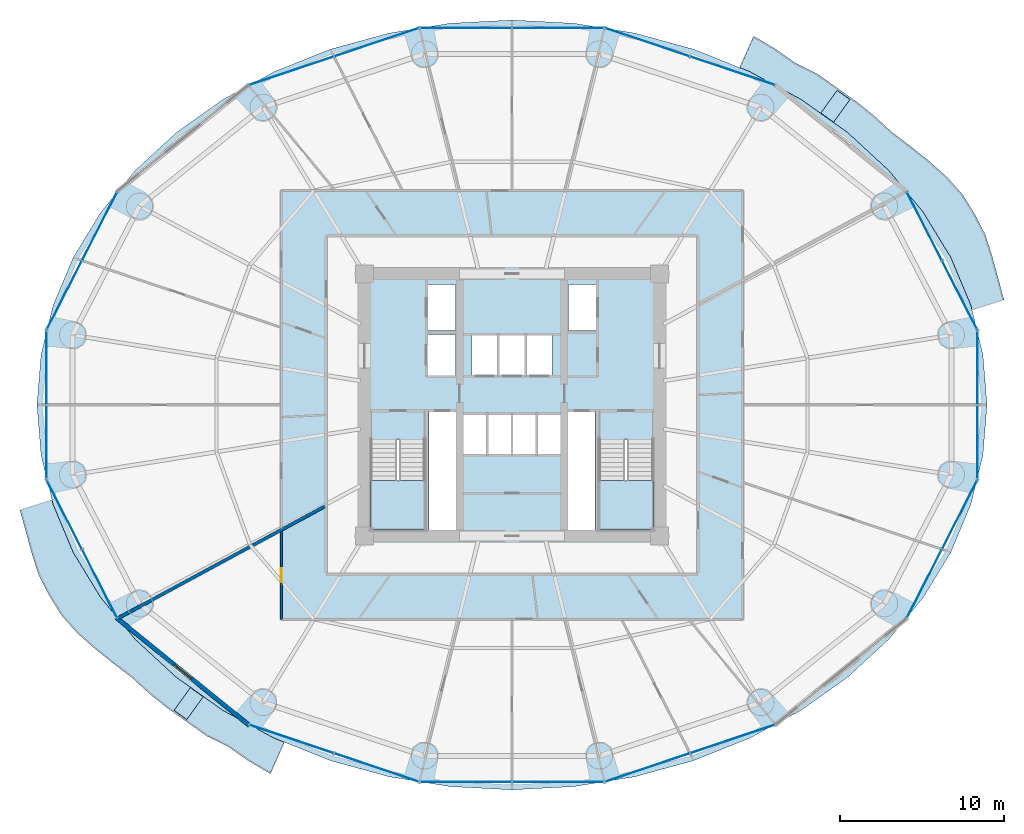
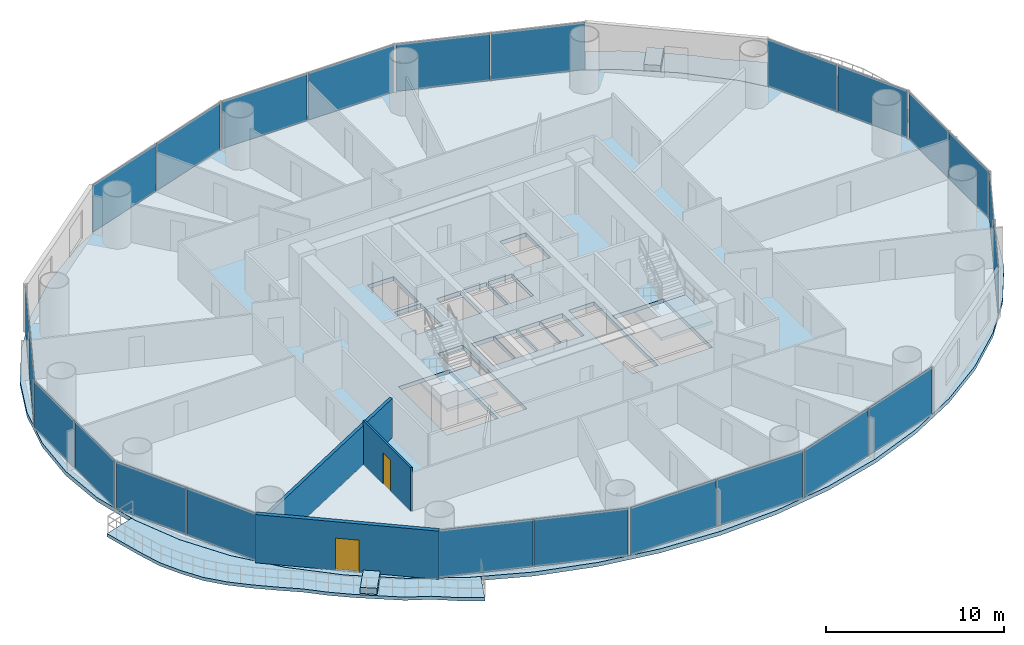
# One storey, part 22 of 30: 24 plates, 7 slabs, 3 walls, 2 doors, 2 openings, 14 elements without a shape of their own.
"""IFC4 building model written with IfcOpenShell, lengths in metres."""

import ifcopenshell
import ifcopenshell.guid

model = None  # the IFC model being written
_history = None  # IfcOwnerHistory: only IFC2X3 demands one
_inside = {}  # id of a spatial element -> (the spatial element, [elements in it])
_under = {}  # id of a project, library or spatial element -> (it, [spatial elements below it])
_declared = {}  # id of a project -> (the project, [libraries it declares])
_typed = {}  # id of a type object -> (the type object, [elements of that type])
_made_of = {}  # id of a material, layer set ... -> (it, [elements and type objects made of it])


def new_model(schema):
    """Start an empty IFC model of exactly this schema.

    Asked for "IFC4X3", IfcOpenShell would pick the latest addendum, in which some entities
    have other attributes; the version numbers below select the first issue.
    IFC2X3 requires an IfcOwnerHistory on every rooted entity: one is made here for all.
    """
    global model, _history
    if schema == "IFC4X3":
        model = ifcopenshell.file(schema_version=(4, 3, 0, 0))
    else:
        model = ifcopenshell.file(schema=schema)
    _inside.clear()
    _under.clear()
    _declared.clear()
    _typed.clear()
    _made_of.clear()
    _history = None
    if model.schema == "IFC2X3":
        org = make("IfcOrganization", Name="unknown")
        user = make(
            "IfcPersonAndOrganization",
            ThePerson=make("IfcPerson", FamilyName="unknown"),
            TheOrganization=org,
        )
        app = make(
            "IfcApplication",
            ApplicationDeveloper=org,
            Version="unknown",
            ApplicationFullName="unknown",
            ApplicationIdentifier="unknown",
        )
        _history = make(
            "IfcOwnerHistory",
            OwningUser=user,
            OwningApplication=app,
            ChangeAction="ADDED",
            CreationDate=0,
        )
    return model


def make(cls, **values):
    """One entity of the class cls with the attributes given. An attribute that is None is left unset."""
    return model.create_entity(
        cls, **{name: value for name, value in values.items() if value is not None}
    )


def rooted(cls, **values):
    """An entity with a GlobalId (a new one), such as an element, a storey or a relation."""
    return make(cls, GlobalId=ifcopenshell.guid.new(), OwnerHistory=_history, **values)


def si_unit(unit_type, name, prefix=None):
    """IfcSIUnit, for example si_unit("LENGTHUNIT", "METRE", prefix="MILLI")."""
    return make("IfcSIUnit", UnitType=unit_type, Prefix=prefix, Name=name)


def assignment(units):
    """IfcUnitAssignment: the units of a project."""
    return None if units is None else make("IfcUnitAssignment", Units=units)


def point(xyz):
    """IfcCartesianPoint."""
    return None if xyz is None else make("IfcCartesianPoint", Coordinates=xyz)


def direction(xyz):
    """IfcDirection."""
    return None if xyz is None else make("IfcDirection", DirectionRatios=xyz)


def frame(location, z_axis=None, x_axis=None):
    """IfcAxis2Placement3D, a coordinate frame: its origin and axes. An axis left out is left unset."""
    return make(
        "IfcAxis2Placement3D",
        Location=point(location),
        Axis=direction(z_axis),
        RefDirection=direction(x_axis),
    )


def frame_2d(location, x_axis=None):
    """IfcAxis2Placement2D, a coordinate frame in the plane: its origin and x axis."""
    return make(
        "IfcAxis2Placement2D", Location=point(location), RefDirection=direction(x_axis)
    )


def origin():
    """The frame at (0, 0, 0) with its axes left unset."""
    return frame((0.0, 0.0, 0.0))


def origin_2d():
    """The frame at (0, 0) in the plane with its x axis left unset."""
    return frame_2d((0.0, 0.0))


def place(relative_to, where):
    """IfcLocalPlacement: puts the frame where relative to a parent placement (None: the world)."""
    return make(
        "IfcLocalPlacement", PlacementRelTo=relative_to, RelativePlacement=where
    )


def context(
    kind, dimensions, precision=None, world=None, true_north=None, identifier=None
):
    """IfcGeometricRepresentationContext, for example the 3D "Model" context."""
    return make(
        "IfcGeometricRepresentationContext",
        ContextIdentifier=identifier,
        ContextType=kind,
        CoordinateSpaceDimension=dimensions,
        Precision=precision,
        WorldCoordinateSystem=world,
        TrueNorth=true_north,
    )


def subcontext(parent, identifier, kind, view, scale=None):
    """IfcGeometricRepresentationSubContext, for example "Body" below "Model"."""
    return make(
        "IfcGeometricRepresentationSubContext",
        ContextIdentifier=identifier,
        ContextType=kind,
        ParentContext=parent,
        TargetScale=scale,
        TargetView=view,
    )


def project(units=None, contexts=None):
    """IfcProject with its units and contexts."""
    return rooted(
        "IfcProject",
        Name="project",
        RepresentationContexts=contexts,
        UnitsInContext=assignment(units),
    )


def spatial(cls, under=None, at=None, **own):
    """A site, building, storey or space (cls), placed at a placement, below another one or the project."""
    s = rooted(cls, ObjectPlacement=at, **own)
    if under is not None:
        _under.setdefault(under.id(), (under, []))[1].append(s)
    return s


def polyline(points):
    """IfcPolyline through the points."""
    return make("IfcPolyline", Points=[point(p) for p in points])


def profile(cls, at=None, kind="AREA", **sizes):
    """A parametric profile (cls). Its sizes go by their IFC names, for example OverallWidth=200.0."""
    return make(cls, ProfileType=kind, Position=at, **sizes)


def rectangle(**sizes):
    """IfcRectangleProfileDef."""
    return profile("IfcRectangleProfileDef", **sizes)


def outline(outer, holes=None, kind="AREA"):
    """IfcArbitraryClosedProfileDef: a profile drawn as a closed curve; with holes, ...WithVoids."""
    if holes is None:
        return make("IfcArbitraryClosedProfileDef", ProfileType=kind, OuterCurve=outer)
    return make(
        "IfcArbitraryProfileDefWithVoids",
        ProfileType=kind,
        OuterCurve=outer,
        InnerCurves=holes,
    )


def extrude(swept, where, along, depth):
    """IfcExtrudedAreaSolid: the profile swept, set in the frame where, extruded along a direction by depth."""
    return make(
        "IfcExtrudedAreaSolid",
        SweptArea=swept,
        Position=where,
        ExtrudedDirection=direction(along),
        Depth=depth,
    )


def shape(context_of_items, identifier, shape_type, items):
    """IfcShapeRepresentation: the items that make up one representation, for example the "Body"."""
    return make(
        "IfcShapeRepresentation",
        ContextOfItems=context_of_items,
        RepresentationIdentifier=identifier,
        RepresentationType=shape_type,
        Items=items,
    )


def source(mapping_origin, context_of_items, identifier, shape_type, items):
    """IfcRepresentationMap: a shape defined once, which mapped items show again and again."""
    return make(
        "IfcRepresentationMap",
        MappingOrigin=mapping_origin,
        MappedRepresentation=shape(context_of_items, identifier, shape_type, items),
    )


def transform(
    local_origin,
    x_axis=None,
    y_axis=None,
    z_axis=None,
    scale=None,
    scale2=None,
    scale3=None,
    uniform=True,
):
    """IfcCartesianTransformationOperator3D, or its non-uniform kind. x_axis, y_axis, z_axis: its Axis1, 2, 3."""
    if uniform:
        return make(
            "IfcCartesianTransformationOperator3D",
            Axis1=direction(x_axis),
            Axis2=direction(y_axis),
            LocalOrigin=point(local_origin),
            Scale=scale,
            Axis3=direction(z_axis),
        )
    return make(
        "IfcCartesianTransformationOperator3DnonUniform",
        Axis1=direction(x_axis),
        Axis2=direction(y_axis),
        LocalOrigin=point(local_origin),
        Scale=scale,
        Axis3=direction(z_axis),
        Scale2=scale2,
        Scale3=scale3,
    )


def mapped(mapping_source, mapping_target):
    """IfcMappedItem: shows the shape of a source again, moved by a transform."""
    return make(
        "IfcMappedItem", MappingSource=mapping_source, MappingTarget=mapping_target
    )


def material(Name=None, Category=None):
    """IfcMaterial."""
    return make("IfcMaterial", Name=Name, Category=Category)


def layer(
    of_material, thickness, ventilated=None, Name=None, Category=None, Priority=None
):
    """IfcMaterialLayer: one layer of a wall or slab, of a material (None: an air gap)."""
    return make(
        "IfcMaterialLayer",
        Material=of_material,
        LayerThickness=thickness,
        IsVentilated=ventilated,
        Name=Name,
        Category=Category,
        Priority=Priority,
    )


def layer_set(layers, Name=None):
    """IfcMaterialLayerSet."""
    return make("IfcMaterialLayerSet", MaterialLayers=layers, LayerSetName=Name)


def made_of(thing, what):
    """Note that an element or type object is made of a material, layer set ...; save() writes the relation."""
    if what is not None:
        _made_of.setdefault(what.id(), (what, []))[1].append(thing)
    return thing


def type_object(cls, material=None, **own):
    """A type object (cls), such as IfcWallType, which elements share."""
    return made_of(rooted(cls, **own), material)


def element(
    cls,
    number,
    at=None,
    inside=None,
    cuts=None,
    type_object=None,
    material=None,
    context=None,
    identifier="Body",
    shape_type=None,
    held_by="IfcProductDefinitionShape",
    body=None,
    shapes=None,
    **own,
):
    """One element of the class cls, such as IfcWall. Its Tag is "e" and its number.

    at: its placement. inside: the storey or other place that contains it. cuts: it is an
    opening in that element (IfcRelVoidsElement). A single representation is given by context,
    identifier, shape_type and body (its items); several are given by shapes. held_by: the class
    of the entity that holds the representations. save() writes the other relations.
    """
    e = rooted(cls, Tag="e%d" % number, ObjectPlacement=at, **own)
    if body is not None:
        shapes = [shape(context, identifier, shape_type, body)]
    if shapes is not None:
        e.Representation = make(held_by, Representations=shapes)
    if inside is not None:
        _inside.setdefault(inside.id(), (inside, []))[1].append(e)
    if cuts is not None:
        rooted(
            "IfcRelVoidsElement", RelatingBuildingElement=cuts, RelatedOpeningElement=e
        )
    if type_object is not None:
        _typed.setdefault(type_object.id(), (type_object, []))[1].append(e)
    return made_of(e, material)


def fill(opening, filler):
    """IfcRelFillsElement: the door or window that sits in an opening."""
    return rooted(
        "IfcRelFillsElement",
        RelatingOpeningElement=opening,
        RelatedBuildingElement=filler,
    )


def aggregate(whole, parts):
    """IfcRelAggregates: a whole, such as a stair, and the parts it consists of."""
    return rooted("IfcRelAggregates", RelatingObject=whole, RelatedObjects=parts)


def save(model, path):
    """Write the relations noted so far, then the file.

    IfcRelAggregates (storeys below a building ...), IfcRelContainedInSpatialStructure (elements
    in a storey), IfcRelDefinesByType, IfcRelAssociatesMaterial and IfcRelDeclares: one each for
    every whole, place, type object, material and project.
    """
    for whole, parts in _under.values():
        aggregate(whole, parts)
    for where, things in _inside.values():
        rooted(
            "IfcRelContainedInSpatialStructure",
            RelatedElements=things,
            RelatingStructure=where,
        )
    for kind, things in _typed.values():
        rooted("IfcRelDefinesByType", RelatedObjects=things, RelatingType=kind)
    for what, things in _made_of.values():
        rooted("IfcRelAssociatesMaterial", RelatedObjects=things, RelatingMaterial=what)
    for by, libraries in _declared.values():
        rooted("IfcRelDeclares", RelatingContext=by, RelatedDefinitions=libraries)
    model.write(path)


model = new_model("IFC4")

# Units and contexts
model_context = context("Model", 3, precision=1e-05, world=origin(), true_north=direction((-0.2419218956, 0.970295726276)))
body_context = subcontext(model_context, "Body", "Model", "MODEL_VIEW")
ifc_project = project(units=[si_unit("LENGTHUNIT", "METRE"), si_unit("AREAUNIT", "SQUARE_METRE"), si_unit("VOLUMEUNIT", "CUBIC_METRE"), si_unit("PLANEANGLEUNIT", "RADIAN"), si_unit("MASSUNIT", "GRAM", prefix="KILO")], contexts=[model_context])

# Site, building, storey
site_placement = place(None, origin())
site = spatial("IfcSite", under=ifc_project, at=site_placement, CompositionType="ELEMENT")
building_placement = place(site_placement, origin())
building = spatial("IfcBuilding", under=site, at=building_placement, Name="Cobrevalo Terracotta Tower", CompositionType="ELEMENT")
storey_placement = place(building_placement, frame((0.0, 0.0, 60.0)))
storey = spatial("IfcBuildingStorey", under=building, at=storey_placement, Name="L15", CompositionType="ELEMENT", Elevation=60.0)

# Stair, slab
ifc_material_1 = material(Name="Concrete C50", Category="concrete")
stair_type = type_object("IfcStairType", Name="Core protected escape dogleg stair 1600", PredefinedType="HALF_TURN_STAIR", material=ifc_material_1)
stair_1_placement = place(storey_placement, origin())
stair_1 = element("IfcStair", 1, at=stair_1_placement, inside=storey, type_object=stair_type, Name="L15 Protected exit stair ST-1", PredefinedType="HALF_TURN_STAIR")
ifc_layer_1 = layer(ifc_material_1, 0.199951171875)
ifc_layer_set_1 = layer_set([ifc_layer_1], Name="Concrete C50")
slab_type_1 = type_object("IfcSlabType", Name="Reinforced Concrete Stair Landing 200", PredefinedType="LANDING", material=ifc_layer_set_1)
slab_1_placement = place(storey_placement, frame((0.0, 0.0, 1.60009765625)))
slab_1 = element("IfcSlab", 2, at=slab_1_placement, type_object=slab_type_1, Name="ST-1 landing 1", PredefinedType="LANDING", context=body_context, shape_type="SweptSolid", body=[
    extrude(outline(polyline([(29.375, 22.179931640625), (29.375, 19.175048828125), (32.695068359375, 19.175048828125), (32.695068359375, 22.179931640625), (29.375, 22.179931640625)])), origin(), (0.0, 0.0, 1.0), 0.199951171875),
])
aggregate(stair_1, [slab_1])

stair_2_placement = place(storey_placement, origin())
stair_2 = element("IfcStair", 3, at=stair_2_placement, inside=storey, type_object=stair_type, Name="L15 Protected exit stair ST-2", PredefinedType="HALF_TURN_STAIR")
slab_2_placement = place(storey_placement, frame((0.0, 0.0, 1.60009765625)))
slab_2 = element("IfcSlab", 4, at=slab_2_placement, type_object=slab_type_1, Name="ST-2 landing 1", PredefinedType="LANDING", context=body_context, shape_type="SweptSolid", body=[
    extrude(outline(polyline([(43.304931640625, 22.179931640625), (43.304931640625, 19.175048828125), (46.625, 19.175048828125), (46.625, 22.179931640625), (43.304931640625, 22.179931640625)])), origin(), (0.0, 0.0, 1.0), 0.199951171875),
])
aggregate(stair_2, [slab_2])

# Slabs
ifc_material_2 = material(Name="Concrete C45", Category="concrete")
ifc_layer_2 = layer(ifc_material_2, 0.219970703125)
ifc_layer_set_2 = layer_set([ifc_layer_2], Name="Concrete C45")
slab_type_2 = type_object("IfcSlabType", Name="Spiralling cantilevered balcony lobe slab 220 mm", PredefinedType="FLOOR", material=ifc_layer_set_2)
slab_3_placement = place(storey_placement, frame((0.0, 0.0, -0.219970703125)))
element("IfcSlab", 5, at=slab_3_placement, inside=storey, type_object=slab_type_2, Name="L15 spiralling arc balcony slab lobe 1", PredefinedType="FLOOR", context=body_context, shape_type="SweptSolid", body=[
    extrude(outline(polyline([(68.036376953125, 33.216064453125), (67.6826171875, 34.52978515625), (67.3154296875, 35.86328125), (66.89111328125, 37.195556640625), (66.245849609375, 38.45361328125), (65.498779296875, 39.65283203125), (64.544921875, 40.721435546875), (63.4658203125, 41.68359375), (62.3486328125, 42.578125), (61.1953125, 43.450927734375), (60.14501953125, 44.419189453125), (59.017822265625, 45.321533203125), (57.827392578125, 46.168701171875), (56.635986328125, 47.01123046875), (55.29931640625, 47.67724609375), (54.069091796875, 48.5419921875), (52.7626953125, 49.308837890625), (51.9111328125, 47.38916015625), (52.5009765625, 47.1533203125), (55.6552734375, 45.4453125), (58.507568359375, 43.41845703125), (61.0087890625, 41.107177734375), (63.116455078125, 38.551025390625), (64.79443359375, 35.7939453125), (66.013671875, 32.8828125), (66.082763671875, 32.6015625), (68.036376953125, 33.216064453125)])), origin(), (0.0, 0.0, 1.0), 0.219970703125),
])
slab_4_placement = place(storey_placement, frame((0.0, 0.0, -0.219970703125)))
element("IfcSlab", 6, at=slab_4_placement, inside=storey, type_object=slab_type_2, Name="L15 spiralling arc balcony slab lobe 2", PredefinedType="FLOOR", context=body_context, shape_type="SweptSolid", body=[
    extrude(outline(polyline([(7.963623046875, 20.384033203125), (8.3173828125, 19.0703125), (8.6845703125, 17.73681640625), (9.10888671875, 16.404296875), (9.754150390625, 15.146240234375), (10.501220703125, 13.947021484375), (11.455078125, 12.87841796875), (12.5341796875, 11.91650390625), (13.6513671875, 11.021728515625), (14.8046875, 10.149169921875), (15.85498046875, 9.180908203125), (16.982177734375, 8.278564453125), (18.172607421875, 7.431396484375), (19.364013671875, 6.588623046875), (20.70068359375, 5.922607421875), (21.930908203125, 5.057861328125), (23.2373046875, 4.291259765625), (24.0888671875, 6.2109375), (23.4990234375, 6.44677734375), (20.3447265625, 8.154541015625), (17.492431640625, 10.181640625), (14.9912109375, 12.492919921875), (12.883544921875, 15.049072265625), (11.20556640625, 17.80615234375), (9.986328125, 20.71728515625), (9.917236328125, 20.99853515625), (7.963623046875, 20.384033203125)])), origin(), (0.0, 0.0, 1.0), 0.219970703125),
])
ifc_material_3 = material(Name="Precast concrete C45", Category="concrete")
ifc_layer_3 = layer(ifc_material_3, 0.419921875)
ifc_layer_set_3 = layer_set([ifc_layer_3], Name="Precast concrete C45")
slab_type_3 = type_object("IfcSlabType", Name="Structural tree planter trough base 420 mm", PredefinedType="USERDEFINED", material=ifc_layer_set_3)
slab_5_placement = place(storey_placement, origin())
element("IfcSlab", 7, at=slab_5_placement, inside=storey, type_object=slab_type_3, Name="L15 structural tree planter trough 1", ObjectType="PLANTER", PredefinedType="USERDEFINED", context=body_context, shape_type="SweptSolid", body=[
    extrude(outline(polyline([(57.63525390625, 44.0615234375), (58.628662109375, 45.441162109375), (57.849609375, 46.002197265625), (56.856201171875, 44.62255859375), (57.63525390625, 44.0615234375)])), origin(), (0.0, 0.0, 1.0), 0.419921875),
])
slab_6_placement = place(storey_placement, origin())
element("IfcSlab", 8, at=slab_6_placement, inside=storey, type_object=slab_type_3, Name="L15 structural tree planter trough 2", ObjectType="PLANTER", PredefinedType="USERDEFINED", context=body_context, shape_type="SweptSolid", body=[
    extrude(outline(polyline([(18.36474609375, 9.538330078125), (17.371337890625, 8.158935546875), (18.150390625, 7.597900390625), (19.143798828125, 8.977294921875), (18.36474609375, 9.538330078125)])), origin(), (0.0, 0.0, 1.0), 0.419921875),
])
ifc_layer_4 = layer(ifc_material_1, 0.280029296875)
ifc_layer_set_4 = layer_set([ifc_layer_4], Name="Concrete C50")
slab_type_4 = type_object("IfcSlabType", Name="Zone Z1 elliptical floor plate 280 mm", PredefinedType="FLOOR", material=ifc_layer_set_4)
slab_7_placement = place(storey_placement, frame((0.0, 0.0, -0.280029296875)))
element("IfcSlab", 9, at=slab_7_placement, inside=storey, type_object=slab_type_4, Name="L15 indoor elliptical floor slab", PredefinedType="FLOOR", context=body_context, shape_type="SweptSolid", body=[
    extrude(outline(polyline([(66.751953125, 23.732666015625), (66.011962890625, 20.7177734375), (64.79248046875, 17.806884765625), (63.11474609375, 15.050048828125), (61.00732421875, 12.494140625), (58.506103515625, 10.18310546875), (55.654052734375, 8.15625), (52.5, 6.448486328125), (49.097900390625, 5.0888671875), (45.505859375, 4.100830078125), (41.78515625, 3.5009765625), (38.0, 3.300048828125), (34.21484375, 3.5009765625), (30.494140625, 4.100830078125), (26.902099609375, 5.0888671875), (23.5, 6.448486328125), (20.345947265625, 8.15625), (17.493896484375, 10.18310546875), (14.99267578125, 12.494140625), (12.88525390625, 15.050048828125), (11.20751953125, 17.806884765625), (9.988037109375, 20.7177734375), (9.248046875, 23.732666015625), (9.0, 26.800048828125), (9.248046875, 29.867431640625), (9.988037109375, 32.88232421875), (11.20751953125, 35.79296875), (12.88525390625, 38.550048828125), (14.99267578125, 41.10595703125), (17.493896484375, 43.4169921875), (20.345947265625, 45.44384765625), (23.5, 47.151611328125), (26.902099609375, 48.51123046875), (30.494140625, 49.499267578125), (34.21484375, 50.098876953125), (38.0, 50.300048828125), (41.78515625, 50.098876953125), (45.505859375, 49.499267578125), (49.097900390625, 48.51123046875), (52.5, 47.151611328125), (55.654052734375, 45.44384765625), (58.506103515625, 43.4169921875), (61.00732421875, 41.10595703125), (63.11474609375, 38.550048828125), (64.79248046875, 35.79296875), (66.011962890625, 32.88232421875), (66.751953125, 29.867431640625), (67.0, 26.800048828125), (66.751953125, 23.732666015625)]), holes=[polyline([(32.695068359375, 19.175048828125), (32.695068359375, 24.659912109375), (29.375, 24.659912109375), (29.375, 19.175048828125), (32.695068359375, 19.175048828125)]), polyline([(34.574951171875, 19.175048828125), (34.574951171875, 26.360107421875), (32.919921875, 26.360107421875), (32.919921875, 19.175048828125), (34.574951171875, 19.175048828125)]), polyline([(36.47998046875, 23.800048828125), (36.47998046875, 26.25), (35.050048828125, 26.25), (35.050048828125, 23.800048828125), (36.47998046875, 23.800048828125)]), polyline([(37.9599609375, 23.800048828125), (37.9599609375, 26.25), (36.530029296875, 26.25), (36.530029296875, 23.800048828125), (37.9599609375, 23.800048828125)]), polyline([(37.1201171875, 28.60009765625), (37.1201171875, 31.050048828125), (35.550048828125, 31.050048828125), (35.550048828125, 28.60009765625), (37.1201171875, 28.60009765625)]), polyline([(34.550048828125, 28.60009765625), (34.550048828125, 31.10009765625), (32.85009765625, 31.10009765625), (32.85009765625, 28.60009765625), (34.550048828125, 28.60009765625)]), polyline([(34.550048828125, 31.35009765625), (34.550048828125, 34.14990234375), (32.85009765625, 34.14990234375), (32.85009765625, 31.35009765625), (34.550048828125, 31.35009765625)]), polyline([(46.625, 19.175048828125), (46.625, 24.659912109375), (43.304931640625, 24.659912109375), (43.304931640625, 19.175048828125), (46.625, 19.175048828125)]), polyline([(43.080078125, 19.175048828125), (43.080078125, 26.360107421875), (41.425048828125, 26.360107421875), (41.425048828125, 19.175048828125), (43.080078125, 19.175048828125)]), polyline([(39.469970703125, 23.800048828125), (39.469970703125, 26.25), (38.0400390625, 26.25), (38.0400390625, 23.800048828125), (39.469970703125, 23.800048828125)]), polyline([(40.949951171875, 23.800048828125), (40.949951171875, 26.25), (39.52001953125, 26.25), (39.52001953125, 23.800048828125), (40.949951171875, 23.800048828125)]), polyline([(38.780029296875, 28.60009765625), (38.780029296875, 31.050048828125), (37.219970703125, 31.050048828125), (37.219970703125, 28.60009765625), (38.780029296875, 28.60009765625)]), polyline([(40.449951171875, 28.60009765625), (40.449951171875, 31.050048828125), (38.8798828125, 31.050048828125), (38.8798828125, 28.60009765625), (40.449951171875, 28.60009765625)]), polyline([(43.14990234375, 31.35009765625), (43.14990234375, 34.14990234375), (41.449951171875, 34.14990234375), (41.449951171875, 31.35009765625), (43.14990234375, 31.35009765625)])]), origin(), (0.0, 0.0, 1.0), 0.280029296875),
])

# Curtain wall, plates
ifc_material_4 = material(Name="Anodized aluminium", Category="aluminium")
curtain_wall_type = type_object("IfcCurtainWallType", Name="Lower-tower unitised acoustic low-E curtain wall CW-U1", PredefinedType="NOTDEFINED", material=ifc_material_4)
curtain_wall_1_placement = place(storey_placement, origin())
curtain_wall_1 = element("IfcCurtainWall", 10, at=curtain_wall_1_placement, inside=storey, type_object=curtain_wall_type, Name="L15 curtain wall CW-L15-S03", PredefinedType="NOTDEFINED")
ifc_material_5 = material(Name="Solar-control low-E double glazing", Category="glass")
ifc_layer_5 = layer(ifc_material_5, 0.028076171875)
ifc_layer_set_5 = layer_set([ifc_layer_5], Name="Solar-control low-E double glazing")
plate_type = type_object("IfcPlateType", Name="Tower solar-control low-E vision glass panel 28 mm", PredefinedType="CURTAIN_PANEL", material=ifc_layer_set_5)
shared_shape_1 = source(origin(), body_context, "Body", "SweptSolid", [
    extrude(rectangle(XDim=5.3876953125, YDim=0.035888671875, at=origin_2d()), origin(), (0.0, 0.0, 1.0), 3.239990234375),
])
plate_1_placement = place(storey_placement, frame((51.465087890625, 47.197021484375, 0.0400390625), z_axis=(0.0, 0.0, 1.0), x_axis=(-0.948044172593, 0.318138722592, 0.0)))
plate_1 = element("IfcPlate", 11, at=plate_1_placement, type_object=plate_type, Name="CW-L15-S03 glazing panel B01", PredefinedType="CURTAIN_PANEL", context=body_context, shape_type="MappedRepresentation", body=[
    mapped(shared_shape_1, transform((0.0, 0.0, 0.0), scale=1.0)),
])
plate_2_placement = place(storey_placement, frame((46.281494140625, 48.9365234375, 0.0400390625), z_axis=(0.0, 0.0, 1.0), x_axis=(-0.948044172593, 0.318138722592, 0.0)))
plate_2 = element("IfcPlate", 12, at=plate_2_placement, type_object=plate_type, Name="CW-L15-S03 glazing panel B02", PredefinedType="CURTAIN_PANEL", context=body_context, shape_type="MappedRepresentation", body=[
    mapped(shared_shape_1, transform((0.0, 0.0, 0.0), scale=1.0)),
])
aggregate(curtain_wall_1, [plate_1, plate_2])

curtain_wall_2_placement = place(storey_placement, origin())
curtain_wall_2 = element("IfcCurtainWall", 13, at=curtain_wall_2_placement, inside=storey, type_object=curtain_wall_type, Name="L15 curtain wall CW-L15-S05", PredefinedType="NOTDEFINED")
plate_3_placement = place(storey_placement, frame((29.718505859375, 48.9365234375, 0.0400390625), z_axis=(0.0, 0.0, 1.0), x_axis=(-0.948044172593, -0.318138722592, 0.0)))
plate_3 = element("IfcPlate", 14, at=plate_3_placement, type_object=plate_type, Name="CW-L15-S05 glazing panel B01", PredefinedType="CURTAIN_PANEL", context=body_context, shape_type="MappedRepresentation", body=[
    mapped(shared_shape_1, transform((0.0, 0.0, 0.0), scale=1.0)),
])
plate_4_placement = place(storey_placement, frame((24.534912109375, 47.197021484375, 0.0400390625), z_axis=(0.0, 0.0, 1.0), x_axis=(-0.948044172593, -0.318138722592, 0.0)))
plate_4 = element("IfcPlate", 15, at=plate_4_placement, type_object=plate_type, Name="CW-L15-S05 glazing panel B02", PredefinedType="CURTAIN_PANEL", context=body_context, shape_type="MappedRepresentation", body=[
    mapped(shared_shape_1, transform((0.0, 0.0, 0.0), scale=1.0)),
])
aggregate(curtain_wall_2, [plate_3, plate_4])

curtain_wall_3_placement = place(storey_placement, origin())
curtain_wall_3 = element("IfcCurtainWall", 16, at=curtain_wall_3_placement, inside=storey, type_object=curtain_wall_type, Name="L15 curtain wall CW-L15-S11", PredefinedType="NOTDEFINED")
plate_5_placement = place(storey_placement, frame((24.534912109375, 6.40283203125, 0.0400390625), z_axis=(0.0, 0.0, 1.0), x_axis=(0.948044172593, -0.318138722592, 0.0)))
plate_5 = element("IfcPlate", 17, at=plate_5_placement, type_object=plate_type, Name="CW-L15-S11 glazing panel B01", PredefinedType="CURTAIN_PANEL", context=body_context, shape_type="MappedRepresentation", body=[
    mapped(shared_shape_1, transform((0.0, 0.0, 0.0), scale=1.0)),
])
plate_6_placement = place(storey_placement, frame((29.718505859375, 4.663330078125, 0.0400390625), z_axis=(0.0, 0.0, 1.0), x_axis=(0.948044172593, -0.318138722592, 0.0)))
plate_6 = element("IfcPlate", 18, at=plate_6_placement, type_object=plate_type, Name="CW-L15-S11 glazing panel B02", PredefinedType="CURTAIN_PANEL", context=body_context, shape_type="MappedRepresentation", body=[
    mapped(shared_shape_1, transform((0.0, 0.0, 0.0), scale=1.0)),
])
aggregate(curtain_wall_3, [plate_5, plate_6])

curtain_wall_4_placement = place(storey_placement, origin())
curtain_wall_4 = element("IfcCurtainWall", 19, at=curtain_wall_4_placement, inside=storey, type_object=curtain_wall_type, Name="L15 curtain wall CW-L15-S13", PredefinedType="NOTDEFINED")
plate_7_placement = place(storey_placement, frame((46.281494140625, 4.663330078125, 0.0400390625), z_axis=(0.0, 0.0, 1.0), x_axis=(0.948044172593, 0.318138722592, 0.0)))
plate_7 = element("IfcPlate", 20, at=plate_7_placement, type_object=plate_type, Name="CW-L15-S13 glazing panel B01", PredefinedType="CURTAIN_PANEL", context=body_context, shape_type="MappedRepresentation", body=[
    mapped(shared_shape_1, transform((0.0, 0.0, 0.0), scale=1.0)),
])
plate_8_placement = place(storey_placement, frame((51.465087890625, 6.40283203125, 0.0400390625), z_axis=(0.0, 0.0, 1.0), x_axis=(0.948044172593, 0.318138722592, 0.0)))
plate_8 = element("IfcPlate", 21, at=plate_8_placement, type_object=plate_type, Name="CW-L15-S13 glazing panel B02", PredefinedType="CURTAIN_PANEL", context=body_context, shape_type="MappedRepresentation", body=[
    mapped(shared_shape_1, transform((0.0, 0.0, 0.0), scale=1.0)),
])
aggregate(curtain_wall_4, [plate_7, plate_8])

curtain_wall_5_placement = place(storey_placement, origin())
curtain_wall_5 = element("IfcCurtainWall", 22, at=curtain_wall_5_placement, inside=storey, type_object=curtain_wall_type, Name="L15 curtain wall CW-L15-S04", PredefinedType="NOTDEFINED")
shared_shape_2 = source(origin(), body_context, "Body", "SweptSolid", [
    extrude(rectangle(XDim=5.53173828125, YDim=0.035888671875, at=origin_2d()), origin(), (0.0, 0.0, 1.0), 3.239990234375),
])
plate_9_placement = place(storey_placement, frame((40.805908203125, 49.819091796875, 0.0400390625), z_axis=(0.0, 0.0, 1.0), x_axis=(-1.0, 0.0, 0.0)))
plate_9 = element("IfcPlate", 23, at=plate_9_placement, type_object=plate_type, Name="CW-L15-S04 glazing panel B01", PredefinedType="CURTAIN_PANEL", context=body_context, shape_type="MappedRepresentation", body=[
    mapped(shared_shape_2, transform((0.0, 0.0, 0.0), scale=1.0)),
])
plate_10_placement = place(storey_placement, frame((35.194091796875, 49.819091796875, 0.0400390625), z_axis=(0.0, 0.0, 1.0), x_axis=(-1.0, 0.0, 0.0)))
plate_10 = element("IfcPlate", 24, at=plate_10_placement, type_object=plate_type, Name="CW-L15-S04 glazing panel B02", PredefinedType="CURTAIN_PANEL", context=body_context, shape_type="MappedRepresentation", body=[
    mapped(shared_shape_2, transform((0.0, 0.0, 0.0), scale=1.0)),
])
aggregate(curtain_wall_5, [plate_9, plate_10])

curtain_wall_6_placement = place(storey_placement, origin())
curtain_wall_6 = element("IfcCurtainWall", 25, at=curtain_wall_6_placement, inside=storey, type_object=curtain_wall_type, Name="L15 curtain wall CW-L15-S12", PredefinedType="NOTDEFINED")
plate_11_placement = place(storey_placement, frame((35.194091796875, 3.781005859375, 0.0400390625), z_axis=(0.0, 0.0, 1.0), x_axis=(1.0, 0.0, 0.0)))
plate_11 = element("IfcPlate", 26, at=plate_11_placement, type_object=plate_type, Name="CW-L15-S12 glazing panel B01", PredefinedType="CURTAIN_PANEL", context=body_context, shape_type="MappedRepresentation", body=[
    mapped(shared_shape_2, transform((0.0, 0.0, 0.0), scale=1.0)),
])
plate_12_placement = place(storey_placement, frame((40.805908203125, 3.781005859375, 0.0400390625), z_axis=(0.0, 0.0, 1.0), x_axis=(1.0, 0.0, 0.0)))
plate_12 = element("IfcPlate", 27, at=plate_12_placement, type_object=plate_type, Name="CW-L15-S12 glazing panel B02", PredefinedType="CURTAIN_PANEL", context=body_context, shape_type="MappedRepresentation", body=[
    mapped(shared_shape_2, transform((0.0, 0.0, 0.0), scale=1.0)),
])
aggregate(curtain_wall_6, [plate_11, plate_12])

curtain_wall_7_placement = place(storey_placement, origin())
curtain_wall_7 = element("IfcCurtainWall", 28, at=curtain_wall_7_placement, inside=storey, type_object=curtain_wall_type, Name="L15 curtain wall CW-L15-S08", PredefinedType="NOTDEFINED")
shared_shape_3 = source(origin(), body_context, "Body", "SweptSolid", [
    extrude(rectangle(XDim=4.458740234375, YDim=0.035888671875, at=origin_2d()), origin(), (0.0, 0.0, 1.0), 3.239990234375),
])
plate_13_placement = place(storey_placement, frame((9.586669921875, 29.0693359375, 0.0400390625), z_axis=(0.0, 0.0, 1.0), x_axis=(0.0, -1.0, 0.0)))
plate_13 = element("IfcPlate", 29, at=plate_13_placement, type_object=plate_type, Name="CW-L15-S08 glazing panel B01", PredefinedType="CURTAIN_PANEL", context=body_context, shape_type="MappedRepresentation", body=[
    mapped(shared_shape_3, transform((0.0, 0.0, 0.0), scale=1.0)),
])
plate_14_placement = place(storey_placement, frame((9.586669921875, 24.530517578125, 0.0400390625), z_axis=(0.0, 0.0, 1.0), x_axis=(0.0, -1.0, 0.0)))
plate_14 = element("IfcPlate", 30, at=plate_14_placement, type_object=plate_type, Name="CW-L15-S08 glazing panel B02", PredefinedType="CURTAIN_PANEL", context=body_context, shape_type="MappedRepresentation", body=[
    mapped(shared_shape_3, transform((0.0, 0.0, 0.0), scale=1.0)),
])
aggregate(curtain_wall_7, [plate_13, plate_14])

curtain_wall_8_placement = place(storey_placement, origin())
curtain_wall_8 = element("IfcCurtainWall", 31, at=curtain_wall_8_placement, inside=storey, type_object=curtain_wall_type, Name="L15 curtain wall CW-L15-S16", PredefinedType="NOTDEFINED")
plate_15_placement = place(storey_placement, frame((66.413330078125, 24.530517578125, 0.0400390625), z_axis=(0.0, 0.0, 1.0), x_axis=(0.0, 1.0, 0.0)))
plate_15 = element("IfcPlate", 32, at=plate_15_placement, type_object=plate_type, Name="CW-L15-S16 glazing panel B01", PredefinedType="CURTAIN_PANEL", context=body_context, shape_type="MappedRepresentation", body=[
    mapped(shared_shape_3, transform((0.0, 0.0, 0.0), scale=1.0)),
])
plate_16_placement = place(storey_placement, frame((66.413330078125, 29.0693359375, 0.0400390625), z_axis=(0.0, 0.0, 1.0), x_axis=(0.0, 1.0, 0.0)))
plate_16 = element("IfcPlate", 33, at=plate_16_placement, type_object=plate_type, Name="CW-L15-S16 glazing panel B02", PredefinedType="CURTAIN_PANEL", context=body_context, shape_type="MappedRepresentation", body=[
    mapped(shared_shape_3, transform((0.0, 0.0, 0.0), scale=1.0)),
])
aggregate(curtain_wall_8, [plate_15, plate_16])

curtain_wall_9_placement = place(storey_placement, origin())
curtain_wall_9 = element("IfcCurtainWall", 34, at=curtain_wall_9_placement, inside=storey, type_object=curtain_wall_type, Name="L15 curtain wall CW-L15-S01", PredefinedType="NOTDEFINED")
shared_shape_4 = source(origin(), body_context, "Body", "SweptSolid", [
    extrude(rectangle(XDim=4.631103515625, YDim=0.035888671875, at=origin_2d()), origin(), (0.0, 0.0, 1.0), 3.239990234375),
])
plate_17_placement = place(storey_placement, frame((65.32275390625, 33.51171875, 0.0400390625), z_axis=(0.0, 0.0, 1.0), x_axis=(-0.45523102861, 0.890373354605, 0.0)))
plate_17 = element("IfcPlate", 35, at=plate_17_placement, type_object=plate_type, Name="CW-L15-S01 glazing panel B01", PredefinedType="CURTAIN_PANEL", context=body_context, shape_type="MappedRepresentation", body=[
    mapped(shared_shape_4, transform((0.0, 0.0, 0.0), scale=1.0)),
])
plate_18_placement = place(storey_placement, frame((63.17822265625, 37.706298828125, 0.0400390625), z_axis=(0.0, 0.0, 1.0), x_axis=(-0.45523102861, 0.890373354605, 0.0)))
plate_18 = element("IfcPlate", 36, at=plate_18_placement, type_object=plate_type, Name="CW-L15-S01 glazing panel B02", PredefinedType="CURTAIN_PANEL", context=body_context, shape_type="MappedRepresentation", body=[
    mapped(shared_shape_4, transform((0.0, 0.0, 0.0), scale=1.0)),
])
aggregate(curtain_wall_9, [plate_17, plate_18])

curtain_wall_10_placement = place(storey_placement, origin())
curtain_wall_10 = element("IfcCurtainWall", 37, at=curtain_wall_10_placement, inside=storey, type_object=curtain_wall_type, Name="L15 curtain wall CW-L15-S07", PredefinedType="NOTDEFINED")
plate_19_placement = place(storey_placement, frame((12.82177734375, 37.706298828125, 0.0400390625), z_axis=(0.0, 0.0, 1.0), x_axis=(-0.45523102861, -0.890373354605, 0.0)))
plate_19 = element("IfcPlate", 38, at=plate_19_placement, type_object=plate_type, Name="CW-L15-S07 glazing panel B01", PredefinedType="CURTAIN_PANEL", context=body_context, shape_type="MappedRepresentation", body=[
    mapped(shared_shape_4, transform((0.0, 0.0, 0.0), scale=1.0)),
])
plate_20_placement = place(storey_placement, frame((10.67724609375, 33.51171875, 0.0400390625), z_axis=(0.0, 0.0, 1.0), x_axis=(-0.45523102861, -0.890373354605, 0.0)))
plate_20 = element("IfcPlate", 39, at=plate_20_placement, type_object=plate_type, Name="CW-L15-S07 glazing panel B02", PredefinedType="CURTAIN_PANEL", context=body_context, shape_type="MappedRepresentation", body=[
    mapped(shared_shape_4, transform((0.0, 0.0, 0.0), scale=1.0)),
])
aggregate(curtain_wall_10, [plate_19, plate_20])

curtain_wall_11_placement = place(storey_placement, origin())
curtain_wall_11 = element("IfcCurtainWall", 40, at=curtain_wall_11_placement, inside=storey, type_object=curtain_wall_type, Name="L15 curtain wall CW-L15-S09", PredefinedType="NOTDEFINED")
plate_21_placement = place(storey_placement, frame((10.67724609375, 20.08837890625, 0.0400390625), z_axis=(0.0, 0.0, 1.0), x_axis=(0.45523102861, -0.890373354605, 0.0)))
plate_21 = element("IfcPlate", 41, at=plate_21_placement, type_object=plate_type, Name="CW-L15-S09 glazing panel B01", PredefinedType="CURTAIN_PANEL", context=body_context, shape_type="MappedRepresentation", body=[
    mapped(shared_shape_4, transform((0.0, 0.0, 0.0), scale=1.0)),
])
plate_22_placement = place(storey_placement, frame((12.82177734375, 15.893798828125, 0.0400390625), z_axis=(0.0, 0.0, 1.0), x_axis=(0.45523102861, -0.890373354605, 0.0)))
plate_22 = element("IfcPlate", 42, at=plate_22_placement, type_object=plate_type, Name="CW-L15-S09 glazing panel B02", PredefinedType="CURTAIN_PANEL", context=body_context, shape_type="MappedRepresentation", body=[
    mapped(shared_shape_4, transform((0.0, 0.0, 0.0), scale=1.0)),
])
aggregate(curtain_wall_11, [plate_21, plate_22])

curtain_wall_12_placement = place(storey_placement, origin())
curtain_wall_12 = element("IfcCurtainWall", 43, at=curtain_wall_12_placement, inside=storey, type_object=curtain_wall_type, Name="L15 curtain wall CW-L15-S15", PredefinedType="NOTDEFINED")
plate_23_placement = place(storey_placement, frame((63.17822265625, 15.893798828125, 0.0400390625), z_axis=(0.0, 0.0, 1.0), x_axis=(0.45523102861, 0.890373354605, 0.0)))
plate_23 = element("IfcPlate", 44, at=plate_23_placement, type_object=plate_type, Name="CW-L15-S15 glazing panel B01", PredefinedType="CURTAIN_PANEL", context=body_context, shape_type="MappedRepresentation", body=[
    mapped(shared_shape_4, transform((0.0, 0.0, 0.0), scale=1.0)),
])
plate_24_placement = place(storey_placement, frame((65.32275390625, 20.08837890625, 0.0400390625), z_axis=(0.0, 0.0, 1.0), x_axis=(0.45523102861, 0.890373354605, 0.0)))
plate_24 = element("IfcPlate", 45, at=plate_24_placement, type_object=plate_type, Name="CW-L15-S15 glazing panel B02", PredefinedType="CURTAIN_PANEL", context=body_context, shape_type="MappedRepresentation", body=[
    mapped(shared_shape_4, transform((0.0, 0.0, 0.0), scale=1.0)),
])
aggregate(curtain_wall_12, [plate_23, plate_24])

# Wall
ifc_material_6 = material(Name="Autoclaved aerated concrete block", Category="concrete")
ifc_layer_6 = layer(ifc_material_6, 0.199951171875)
ifc_layer_set_6 = layer_set([ifc_layer_6], Name="Autoclaved aerated concrete block")
wall_type_1 = type_object("IfcWallType", Name="Fire-rated stair, shaft & demising masonry wall 200 mm", PredefinedType="PARTITIONING", material=ifc_layer_set_6)
wall_1_placement = place(storey_placement, frame((26.56494140625, 20.6083984375, 0.0), z_axis=(0.0, 0.0, 1.0), x_axis=(-0.879369737803, -0.476139542819, 0.0)))
element("IfcWall", 46, at=wall_1_placement, inside=storey, type_object=wall_type_1, Name="L15 interior partition IW-L15-DEM-2", PredefinedType="PARTITIONING", context=body_context, shape_type="SweptSolid", body=[
    extrude(rectangle(XDim=14.294921875, YDim=0.199951171875, at=frame_2d((7.1474609375, 0.0))), origin(), (0.0, 0.0, 1.0), 2.68798828125),
])

# Wall, opening, door
ifc_layer_7 = layer(ifc_material_6, 0.260009765625)
ifc_layer_set_7 = layer_set([ifc_layer_7], Name="Autoclaved aerated concrete block")
wall_type_2 = type_object("IfcWallType", Name="Recessed balcony loggia insulated exterior wall 260 mm", PredefinedType="SOLIDWALL", material=ifc_layer_set_7)
wall_2_placement = place(storey_placement, frame((13.85009765625, 13.81103515625, 0.0), z_axis=(0.0, 0.0, 1.0), x_axis=(0.777016782851, -0.629479879875, 0.0)))
wall_2 = element("IfcWall", 47, at=wall_2_placement, inside=storey, type_object=wall_type_2, Name="L15 balcony loggia wall S10", PredefinedType="SOLIDWALL", context=body_context, shape_type="SweptSolid", body=[
    extrude(rectangle(XDim=10.446533203125, YDim=0.260009765625, at=frame_2d((5.22314453125, 0.0))), origin(), (0.0, 0.0, 1.0), 3.320068359375),
])
opening_1_placement = place(wall_2_placement, frame((4.54833984375, 0.0, 0.0)))
opening_1 = element("IfcOpeningElement", 48, at=opening_1_placement, cuts=wall_2, Name="Opening ED-05", PredefinedType="OPENING", context=body_context, shape_type="SweptSolid", body=[
    extrude(rectangle(XDim=1.35009765625, YDim=2.199951171875, at=frame_2d((0.675048828125, 1.10009765625))), frame((0.0, 0.14013671875, 0.0), z_axis=(0.0, -1.0, 0.0), x_axis=(1.0, 0.0, 0.0)), (0.0, 0.0, 1.0), 0.280029296875),
])
ifc_material_7 = material(Name="Anodized aluminium and laminated glass", Category="aluminium")
door_type_1 = type_object("IfcDoorType", Name="Suite balcony acoustic glazed terrace door 1350x2200", OperationType="NOTDEFINED", PredefinedType="DOOR", material=ifc_material_7)
shared_shape_5 = source(origin(), body_context, "Body", "SweptSolid", [
    extrude(rectangle(XDim=1.35009765625, YDim=2.199951171875, at=frame_2d((0.675048828125, 1.10009765625))), frame((0.0, 0.02490234375, 0.0), z_axis=(0.0, -1.0, 0.0), x_axis=(1.0, 0.0, 0.0)), (0.0, 0.0, 1.0), 0.050048828125),
])
door_1_placement = place(opening_1_placement, frame((1.35009765625, 0.0, 0.0), z_axis=(0.0, 0.0, 1.0), x_axis=(-1.0, 0.0, 0.0)))
door_1 = element("IfcDoor", 49, at=door_1_placement, inside=storey, type_object=door_type_1, Name="L15 glazed balcony terrace door 2", OperationType="SINGLE_SWING_RIGHT", OverallHeight=2.199951171875, OverallWidth=1.35009765625, PredefinedType="DOOR", context=body_context, shape_type="MappedRepresentation", body=[
    mapped(shared_shape_5, transform((0.0, 0.0, 0.0), scale=1.0)),
])
fill(opening_1, door_1)

ifc_material_8 = material(Name="Gypsum board on steel stud", Category="steel")
ifc_layer_8 = layer(ifc_material_8, 0.1201171875)
ifc_layer_set_8 = layer_set([ifc_layer_8], Name="Gypsum board on steel stud")
wall_type_3 = type_object("IfcWallType", Name="Residential internal acoustic stud partition 120 mm", PredefinedType="PARTITIONING", material=ifc_layer_set_8)
wall_3_placement = place(storey_placement, frame((23.9150390625, 13.715087890625, 0.0), z_axis=(0.0, 0.0, 1.0), x_axis=(0.0, 1.0, 0.0)))
wall_3 = element("IfcWall", 50, at=wall_3_placement, inside=storey, type_object=wall_type_3, Name="L15 interior partition IW-L15-U2-RING2_0", PredefinedType="PARTITIONING", context=body_context, shape_type="SweptSolid", body=[
    extrude(rectangle(XDim=5.3564453125, YDim=0.1201171875, at=frame_2d((2.67822265625, 0.0))), origin(), (0.0, 0.0, 1.0), 2.9990234375),
])
opening_2_placement = place(wall_3_placement, frame((2.248291015625, 0.0, 0.0)))
opening_2 = element("IfcOpeningElement", 51, at=opening_2_placement, cuts=wall_3, Name="Opening ID-19", PredefinedType="OPENING", context=body_context, shape_type="SweptSolid", body=[
    extrude(rectangle(XDim=0.860107421875, YDim=2.14990234375, at=frame_2d((0.43017578125, 1.074951171875))), frame((0.0, 0.070068359375, 0.0), z_axis=(0.0, -1.0, 0.0), x_axis=(1.0, 0.0, 0.0)), (0.0, 0.0, 1.0), 0.14013671875),
])
ifc_material_9 = material(Name="Moisture-sealed timber", Category="wood")
door_type_2 = type_object("IfcDoorType", Name="Suite bathroom internal timber door 860x2150", OperationType="NOTDEFINED", PredefinedType="DOOR", material=ifc_material_9)
shared_shape_6 = source(origin(), body_context, "Body", "SweptSolid", [
    extrude(rectangle(XDim=0.860107421875, YDim=2.14990234375, at=frame_2d((0.43017578125, 1.074951171875))), frame((0.0, 0.02490234375, 0.0), z_axis=(0.0, -1.0, 0.0), x_axis=(1.0, 0.0, 0.0)), (0.0, 0.0, 1.0), 0.050048828125),
])
door_2_placement = place(opening_2_placement, frame((0.860107421875, 0.0, 0.0), z_axis=(0.0, 0.0, 1.0), x_axis=(-1.0, 0.0, 0.0)))
door_2 = element("IfcDoor", 52, at=door_2_placement, inside=storey, type_object=door_type_2, Name="Flat L15B Guest Bathroom internal door", OperationType="SINGLE_SWING_RIGHT", OverallHeight=2.14990234375, OverallWidth=0.860107421875, PredefinedType="DOOR", context=body_context, shape_type="MappedRepresentation", body=[
    mapped(shared_shape_6, transform((0.0, 0.0, 0.0), scale=1.0)),
])
fill(opening_2, door_2)

save(model, "model.ifc")
